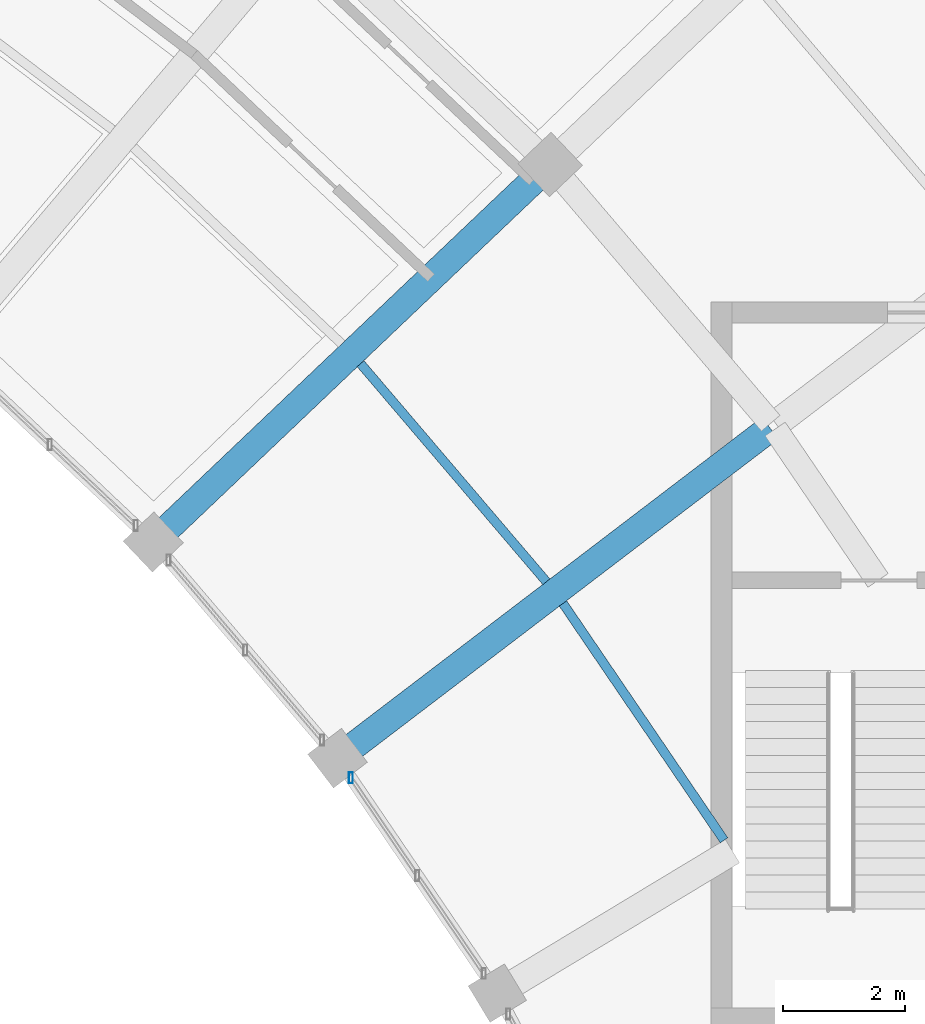
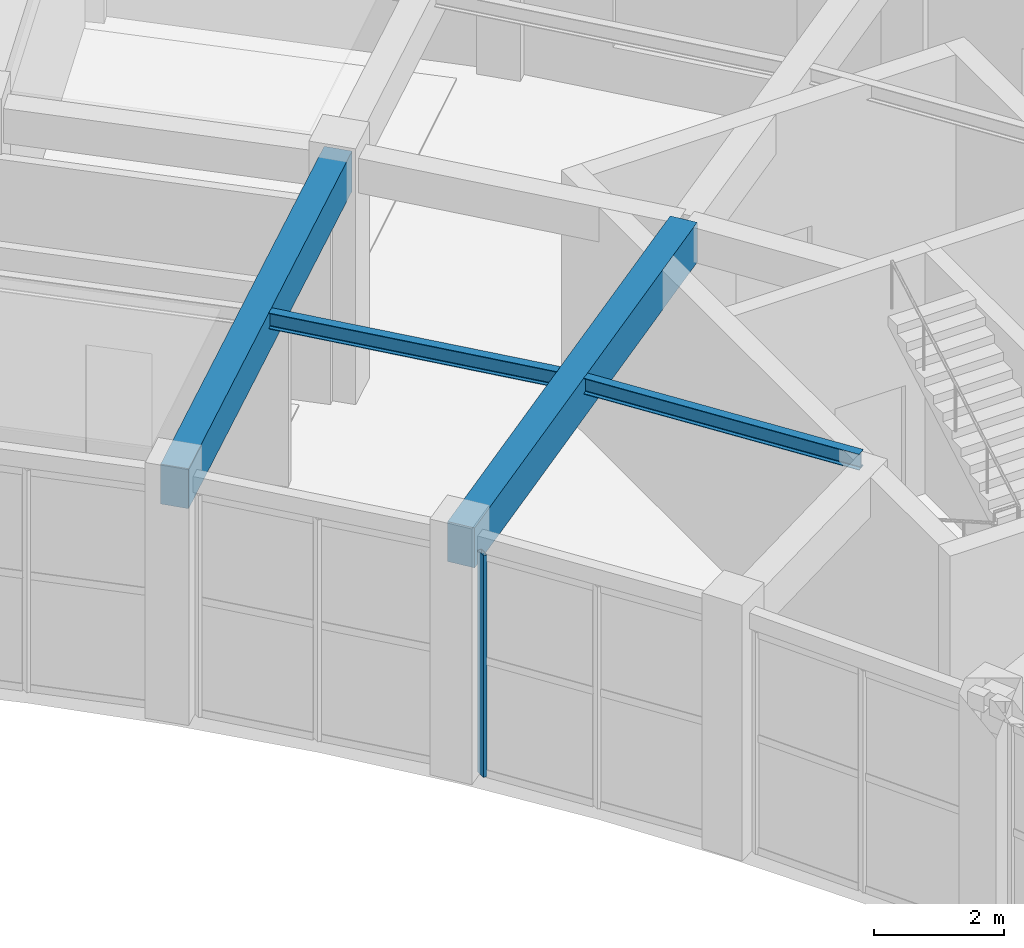
# One storey, part 75 of 108: 4 beams, 1 member, 1 element without a shape of its own.
"""IFC4 building model written with IfcOpenShell, lengths in metres."""

from ifc_helpers import new_model, si_unit, direction, frame, origin, origin_2d, place, context, subcontext, project, spatial, rectangle, hollow_rectangle, i_section, extrude, material, material_profile, profile_set, type_object, element, aggregate, save


model = new_model("IFC4")

# Units and contexts
model_context = context("Model", 3, precision=1e-05, world=origin(), true_north=direction((0.0, 1.0)))
body_context = subcontext(model_context, "Body", "Model", "MODEL_VIEW")
ifc_project = project(units=[si_unit("LENGTHUNIT", "METRE"), si_unit("AREAUNIT", "SQUARE_METRE"), si_unit("VOLUMEUNIT", "CUBIC_METRE"), si_unit("PLANEANGLEUNIT", "RADIAN"), si_unit("MASSUNIT", "GRAM", prefix="KILO")], contexts=[model_context])

# Site, building, storey
site_placement = place(None, origin())
site = spatial("IfcSite", under=ifc_project, at=site_placement, CompositionType="ELEMENT")
building_placement = place(site_placement, origin())
building = spatial("IfcBuilding", under=site, at=building_placement, Name="Tarnveldt Headland Concert Hall", CompositionType="ELEMENT")
storey_placement = place(building_placement, origin())
storey = spatial("IfcBuildingStorey", under=building, at=storey_placement, Name="L00", CompositionType="ELEMENT", Elevation=0.0)

# Beams
ifc_material_1 = material(Name="Concrete C40/50", Category="concrete")
ifc_material_profile_1 = material_profile(ifc_material_1, rectangle(XDim=0.449951171875, YDim=0.75, at=origin_2d()), Name="RC 450x750", Category="concrete")
ifc_profile_set_1 = profile_set([ifc_material_profile_1], Name="Concrete C40/50")
beam_type_1 = type_object("IfcBeamType", Name="CB-450x750", PredefinedType="BEAM", material=ifc_profile_set_1)
beam_1_placement = place(storey_placement, frame((151.73779296875, 86.11376953125, 4.14501953125), z_axis=(0.795127420909, 0.6064424, 0.0), x_axis=(-0.6064424, 0.795127420909, 0.0)))
element("IfcBeam", 1, at=beam_1_placement, inside=storey, type_object=beam_type_1, Name="Framing beam L00-529", PredefinedType="BEAM", context=body_context, shape_type="SweptSolid", body=[
    extrude(rectangle(XDim=0.449951171875, YDim=0.75, at=origin_2d()), origin(), (0.0, 0.0, 1.0), 8.880126953125),
])
beam_2_placement = place(storey_placement, frame((148.705810546875, 89.6708984375, 4.14501953125), z_axis=(0.724698020854, 0.689066599517, 0.0), x_axis=(-0.689066599517, 0.724698020854, 0.0)))
element("IfcBeam", 2, at=beam_2_placement, inside=storey, type_object=beam_type_1, Name="Framing beam L00-536", PredefinedType="BEAM", context=body_context, shape_type="SweptSolid", body=[
    extrude(rectangle(XDim=0.449951171875, YDim=0.75, at=origin_2d()), origin(), (0.0, 0.0, 1.0), 8.8798828125),
])

# Curtain wall, member
ifc_material_2 = material(Name="Marine-anodised aluminium EN AW-6063-T6", Category="aluminium")
curtain_wall_type = type_object("IfcCurtainWallType", Name="CW-C1", PredefinedType="NOTDEFINED", material=ifc_material_2)
curtain_wall_placement = place(storey_placement, origin())
curtain_wall = element("IfcCurtainWall", 3, at=curtain_wall_placement, inside=storey, type_object=curtain_wall_type, Name="Curtain wall CW-L00-106", PredefinedType="NOTDEFINED")
ifc_material_profile_2 = material_profile(ifc_material_2, hollow_rectangle(XDim=0.06494140625, YDim=0.179931640625, WallThickness=0.00390625, at=origin_2d()), Name="ALU MULLION 65x180x4", Category="aluminium")
ifc_profile_set_2 = profile_set([ifc_material_profile_2], Name="Marine-anodised aluminium EN AW-6063-T6")
member_type = type_object("IfcMemberType", Name="ML-180", PredefinedType="MULLION", material=ifc_profile_set_2)
member_placement = place(storey_placement, frame((151.909423828125, 85.7548828125, 0.0), z_axis=(0.0, 0.0, 1.0), x_axis=(1.0, 0.0, 0.0)))
member = element("IfcMember", 4, at=member_placement, type_object=member_type, Name="Mullion CW-L00-106-3", PredefinedType="MULLION", context=body_context, shape_type="SweptSolid", body=[
    extrude(hollow_rectangle(XDim=0.06494140625, YDim=0.179931640625, WallThickness=0.00390625, at=origin_2d()), origin(), (0.0, 0.0, 1.0), 4.159912109375),
])
aggregate(curtain_wall, [member])

# Beams
ifc_material_3 = material(Name="Steel S355", Category="steel")
ifc_material_profile_3 = material_profile(ifc_material_3, i_section(OverallWidth=0.14990234375, OverallDepth=0.300048828125, WebThickness=0.007080078125, FlangeThickness=0.0107421875, FilletRadius=0.014892578125, at=origin_2d()), Name="IPE300", Category="steel")
ifc_profile_set_3 = profile_set([ifc_material_profile_3], Name="Steel S355")
beam_type_2 = type_object("IfcBeamType", Name="SB-IPE300", PredefinedType="JOIST", material=ifc_profile_set_3)
for number, where, z_axis, x_axis, name in (
    (5, (158.04150390625, 84.729248046875, 4.3701171875), (-0.562422118393, 0.826850265007, 0.0), (-0.826850265007, -0.562422118393, 0.0), "Framing beam L00-527"),
    (6, (155.122314453125, 88.9775390625, 4.3701171875), (-0.648686890774, 0.761055397286, 0.0), (-0.761055397286, -0.648686890774, 0.0), "Framing beam L00-534"),
):
    element("IfcBeam", number, at=place(storey_placement, frame(where, z_axis=z_axis, x_axis=x_axis)), inside=storey, type_object=beam_type_2, Name=name, PredefinedType="JOIST", context=body_context, shape_type="SweptSolid", body=[
        extrude(i_section(OverallWidth=0.14990234375, OverallDepth=0.300048828125, WebThickness=0.007080078125, FlangeThickness=0.0107421875, FilletRadius=0.014892578125, at=origin_2d()), origin(), (0.0, 0.0, 1.0), 4.7060546875),
    ])

save(model, "model.ifc")
